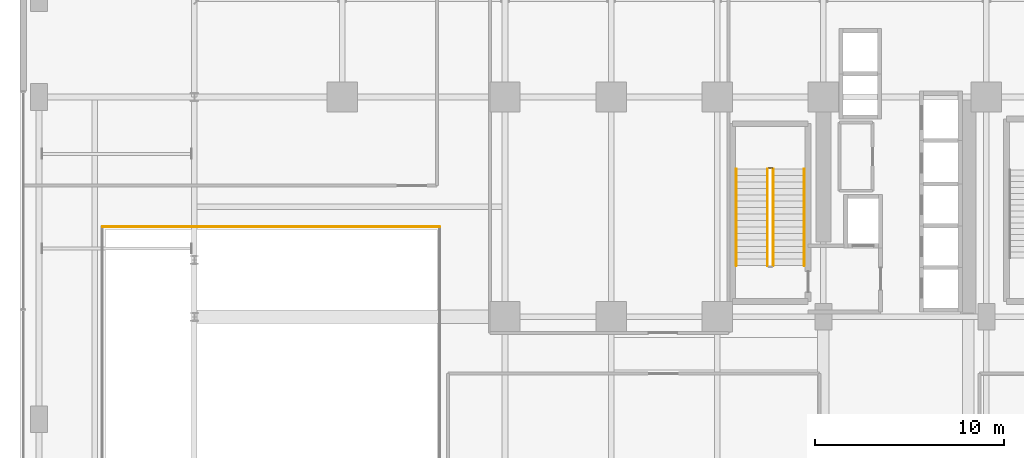
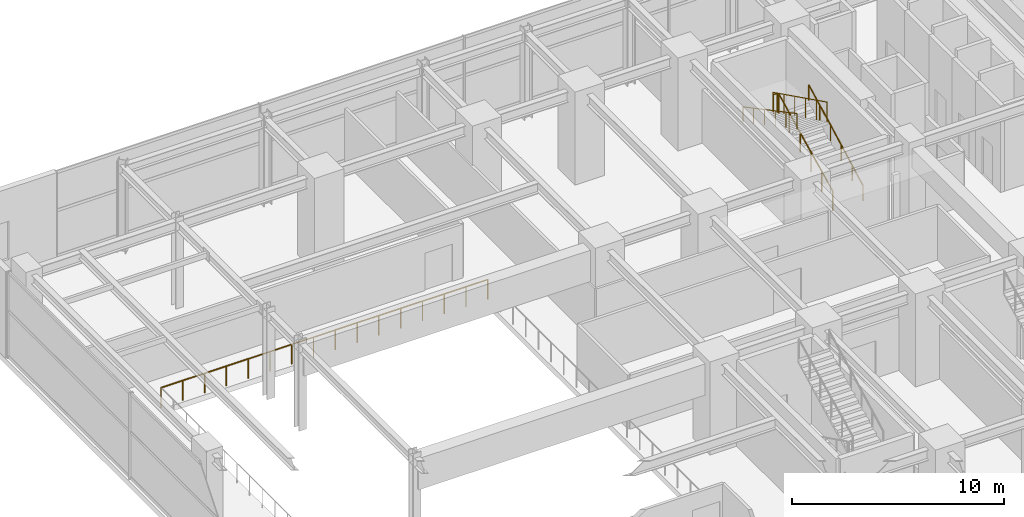
# One storey, part 34 of 35: 6 railings.
"""IFC4 building model written with IfcOpenShell, lengths in metres."""

from ifc_helpers import new_model, si_unit, direction, frame, origin, origin_2d, place, context, subcontext, project, spatial, circle, extrude, material, type_object, element, save


model = new_model("IFC4")

# Units and contexts
model_context = context("Model", 3, precision=1e-05, world=origin(), true_north=direction((0.0, 1.0)))
body_context = subcontext(model_context, "Body", "Model", "MODEL_VIEW")
ifc_project = project(units=[si_unit("LENGTHUNIT", "METRE"), si_unit("AREAUNIT", "SQUARE_METRE"), si_unit("VOLUMEUNIT", "CUBIC_METRE"), si_unit("PLANEANGLEUNIT", "RADIAN"), si_unit("MASSUNIT", "GRAM", prefix="KILO")], contexts=[model_context])

# Site, building, storey
site_placement = place(None, origin())
site = spatial("IfcSite", under=ifc_project, at=site_placement, CompositionType="ELEMENT")
building_placement = place(site_placement, origin())
building = spatial("IfcBuilding", under=site, at=building_placement, Name="Nahalor Promenade Grand Hotel", CompositionType="ELEMENT")
storey_placement = place(building_placement, frame((0.0, 0.0, 21.60009765625)))
storey = spatial("IfcBuildingStorey", under=building, at=storey_placement, Name="L04", CompositionType="ELEMENT", Elevation=21.60009765625)

# Railings
ifc_material_1 = material(Name="Anodised Bronze Aluminium EN AW-6063 T6", Category="aluminium")
railing_type_1 = type_object("IfcRailingType", Name="Bronze Sky Balustrade 1150 mm", PredefinedType="BALUSTRADE", material=ifc_material_1)
railing_1_placement = place(storey_placement, frame((-11.85009765625, 10.14990234375, 0.0)))
element("IfcRailing", 1, at=railing_1_placement, inside=storey, type_object=railing_type_1, Name="L04 Edge Guardrail BL-L04-BAL-3", PredefinedType="BALUSTRADE", context=body_context, shape_type="SweptSolid", body=[
    extrude(circle(Radius=0.024048, at=origin_2d()), frame((0.0, 0.0, 1.1259765625), z_axis=(-1.0, 0.0, 0.0), x_axis=(0.0, -1.0, 0.0)), (0.0, 0.0, 1.0), 17.7998046875),
    extrude(circle(Radius=0.020996, at=origin_2d()), origin(), (0.0, 0.0, 1.0), 1.099853515625),
    extrude(circle(Radius=0.020996, at=origin_2d()), frame((-1.186767578125, 0.0, 0.0)), (0.0, 0.0, 1.0), 1.099853515625),
    extrude(circle(Radius=0.020996, at=origin_2d()), frame((-2.373291015625, 0.0, 0.0)), (0.0, 0.0, 1.0), 1.099853515625),
    extrude(circle(Radius=0.020996, at=origin_2d()), frame((-3.56005859375, 0.0, 0.0)), (0.0, 0.0, 1.0), 1.099853515625),
    extrude(circle(Radius=0.020996, at=origin_2d()), frame((-4.74658203125, 0.0, 0.0)), (0.0, 0.0, 1.0), 1.099853515625),
    extrude(circle(Radius=0.020996, at=origin_2d()), frame((-5.933349609375, 0.0, 0.0)), (0.0, 0.0, 1.0), 1.099853515625),
    extrude(circle(Radius=0.020996, at=origin_2d()), frame((-7.119873046875, 0.0, 0.0)), (0.0, 0.0, 1.0), 1.099853515625),
    extrude(circle(Radius=0.020996, at=origin_2d()), frame((-8.306640625, 0.0, 0.0)), (0.0, 0.0, 1.0), 1.099853515625),
    extrude(circle(Radius=0.020996, at=origin_2d()), frame((-9.4931640625, 0.0, 0.0)), (0.0, 0.0, 1.0), 1.099853515625),
    extrude(circle(Radius=0.020996, at=origin_2d()), frame((-10.679931640625, 0.0, 0.0)), (0.0, 0.0, 1.0), 1.099853515625),
    extrude(circle(Radius=0.020996, at=origin_2d()), frame((-11.866455078125, 0.0, 0.0)), (0.0, 0.0, 1.0), 1.099853515625),
    extrude(circle(Radius=0.020996, at=origin_2d()), frame((-13.05322265625, 0.0, 0.0)), (0.0, 0.0, 1.0), 1.099853515625),
    extrude(circle(Radius=0.020996, at=origin_2d()), frame((-14.23974609375, 0.0, 0.0)), (0.0, 0.0, 1.0), 1.099853515625),
    extrude(circle(Radius=0.020996, at=origin_2d()), frame((-15.426513671875, 0.0, 0.0)), (0.0, 0.0, 1.0), 1.099853515625),
    extrude(circle(Radius=0.020996, at=origin_2d()), frame((-16.613037109375, 0.0, 0.0)), (0.0, 0.0, 1.0), 1.099853515625),
    extrude(circle(Radius=0.020996, at=origin_2d()), frame((-17.7998046875, 0.0, 0.0)), (0.0, 0.0, 1.0), 1.099853515625),
])
ifc_material_2 = material(Name="Steel S355JR", Category="steel")
railing_type_2 = type_object("IfcRailingType", Name="Steel Stair Guardrail 1150 mm", PredefinedType="GUARDRAIL", material=ifc_material_2)
railing_2_placement = place(storey_placement, frame((5.75, 8.10009765625, 0.168701171875)))
element("IfcRailing", 2, at=railing_2_placement, inside=storey, type_object=railing_type_2, Name="L04 ST1 stair guard 1", PredefinedType="GUARDRAIL", context=body_context, shape_type="SweptSolid", body=[
    extrude(circle(Radius=0.024048, at=origin_2d()), frame((0.0, 0.0, 1.1259765625), z_axis=(0.0, 0.895735491292, 0.444587370086), x_axis=(-1.0, 0.0, 0.0)), (0.0, 0.0, 1.0), 5.693603515625),
    extrude(circle(Radius=0.020996, at=origin_2d()), origin(), (0.0, 0.0, 1.0), 1.099853515625),
    extrude(circle(Radius=0.020996, at=origin_2d()), frame((0.0, 1.02001953125, 0.50634765625)), (0.0, 0.0, 1.0), 1.099853515625),
    extrude(circle(Radius=0.020996, at=origin_2d()), frame((0.0, 2.0400390625, 1.012451171875)), (0.0, 0.0, 1.0), 1.099853515625),
    extrude(circle(Radius=0.020996, at=origin_2d()), frame((0.0, 3.059814453125, 1.518798828125)), (0.0, 0.0, 1.0), 1.099853515625),
    extrude(circle(Radius=0.020996, at=origin_2d()), frame((0.0, 4.079833984375, 2.02490234375)), (0.0, 0.0, 1.0), 1.099853515625),
    extrude(circle(Radius=0.020996, at=origin_2d()), frame((0.0, 5.099853515625, 2.53125)), (0.0, 0.0, 1.0), 1.099853515625),
])
railing_3_placement = place(storey_placement, frame((5.699951171875, 13.25, 2.699951171875)))
element("IfcRailing", 3, at=railing_3_placement, inside=storey, type_object=railing_type_2, Name="L04 ST1 stair guard 2", PredefinedType="GUARDRAIL", context=body_context, shape_type="SweptSolid", body=[
    extrude(circle(Radius=0.024048, at=origin_2d()), frame((0.0, 0.0, 1.1259765625), z_axis=(-1.0, 0.0, 0.0), x_axis=(0.0, -1.0, 0.0)), (0.0, 0.0, 1.0), 0.199951171875),
    extrude(circle(Radius=0.020996, at=origin_2d()), origin(), (0.0, 0.0, 1.0), 1.099853515625),
    extrude(circle(Radius=0.020996, at=origin_2d()), frame((-0.199951171875, 0.0, 0.0)), (0.0, 0.0, 1.0), 1.099853515625),
])
railing_4_placement = place(storey_placement, frame((5.449951171875, 13.199951171875, 2.86865234375)))
element("IfcRailing", 4, at=railing_4_placement, inside=storey, type_object=railing_type_2, Name="L04 ST1 stair guard 3", PredefinedType="GUARDRAIL", context=body_context, shape_type="SweptSolid", body=[
    extrude(circle(Radius=0.024048, at=origin_2d()), frame((0.0, 0.0, 1.1259765625), z_axis=(0.0, -0.895735491292, 0.444587370086), x_axis=(1.0, 0.0, 0.0)), (0.0, 0.0, 1.0), 5.693603515625),
    extrude(circle(Radius=0.020996, at=origin_2d()), origin(), (0.0, 0.0, 1.0), 1.099853515625),
    extrude(circle(Radius=0.020996, at=origin_2d()), frame((0.0, -1.02001953125, 0.50634765625)), (0.0, 0.0, 1.0), 1.099853515625),
    extrude(circle(Radius=0.020996, at=origin_2d()), frame((0.0, -2.0400390625, 1.012451171875)), (0.0, 0.0, 1.0), 1.099853515625),
    extrude(circle(Radius=0.020996, at=origin_2d()), frame((0.0, -3.059814453125, 1.518798828125)), (0.0, 0.0, 1.0), 1.099853515625),
    extrude(circle(Radius=0.020996, at=origin_2d()), frame((0.0, -4.079833984375, 2.02490234375)), (0.0, 0.0, 1.0), 1.099853515625),
    extrude(circle(Radius=0.020996, at=origin_2d()), frame((0.0, -5.099853515625, 2.53125)), (0.0, 0.0, 1.0), 1.099853515625),
])
railing_type_3 = type_object("IfcRailingType", Name="Steel Stair Handrail 900 mm", PredefinedType="HANDRAIL", material=ifc_material_2)
railing_5_placement = place(storey_placement, frame((7.39990234375, 8.10009765625, 0.168701171875)))
element("IfcRailing", 5, at=railing_5_placement, inside=storey, type_object=railing_type_3, Name="L04 ST1 stair handrail 1", PredefinedType="HANDRAIL", context=body_context, shape_type="SweptSolid", body=[
    extrude(circle(Radius=0.024048, at=origin_2d()), frame((0.0, 0.0, 0.8759765625), z_axis=(0.0, 0.883785858079, 0.467891608238), x_axis=(-1.0, 0.0, 0.0)), (0.0, 0.0, 1.0), 5.7705078125),
    extrude(circle(Radius=0.020996, at=origin_2d()), origin(), (0.0, 0.0, 1.0), 0.849853515625),
    extrude(circle(Radius=0.020996, at=origin_2d()), frame((0.0, 1.02001953125, 0.5400390625)), (0.0, 0.0, 1.0), 0.849853515625),
    extrude(circle(Radius=0.020996, at=origin_2d()), frame((0.0, 2.0400390625, 1.080078125)), (0.0, 0.0, 1.0), 0.849853515625),
    extrude(circle(Radius=0.020996, at=origin_2d()), frame((0.0, 3.059814453125, 1.619873046875)), (0.0, 0.0, 1.0), 0.849853515625),
    extrude(circle(Radius=0.020996, at=origin_2d()), frame((0.0, 4.079833984375, 2.159912109375)), (0.0, 0.0, 1.0), 0.849853515625),
    extrude(circle(Radius=0.020996, at=origin_2d()), frame((0.0, 5.099853515625, 2.699951171875)), (0.0, 0.0, 1.0), 0.849853515625),
])
railing_6_placement = place(storey_placement, frame((3.800048828125, 13.199951171875, 2.86865234375)))
element("IfcRailing", 6, at=railing_6_placement, inside=storey, type_object=railing_type_3, Name="L04 ST1 stair handrail 2", PredefinedType="HANDRAIL", context=body_context, shape_type="SweptSolid", body=[
    extrude(circle(Radius=0.024048, at=origin_2d()), frame((0.0, 0.0, 0.8759765625), z_axis=(0.0, -0.883785858079, 0.467891608238), x_axis=(1.0, 0.0, 0.0)), (0.0, 0.0, 1.0), 5.7705078125),
    extrude(circle(Radius=0.020996, at=origin_2d()), origin(), (0.0, 0.0, 1.0), 0.849853515625),
    extrude(circle(Radius=0.020996, at=origin_2d()), frame((0.0, -1.02001953125, 0.5400390625)), (0.0, 0.0, 1.0), 0.849853515625),
    extrude(circle(Radius=0.020996, at=origin_2d()), frame((0.0, -2.0400390625, 1.080078125)), (0.0, 0.0, 1.0), 0.849853515625),
    extrude(circle(Radius=0.020996, at=origin_2d()), frame((0.0, -3.059814453125, 1.619873046875)), (0.0, 0.0, 1.0), 0.849853515625),
    extrude(circle(Radius=0.020996, at=origin_2d()), frame((0.0, -4.079833984375, 2.159912109375)), (0.0, 0.0, 1.0), 0.849853515625),
    extrude(circle(Radius=0.020996, at=origin_2d()), frame((0.0, -5.099853515625, 2.699951171875)), (0.0, 0.0, 1.0), 0.849853515625),
])

save(model, "model.ifc")
